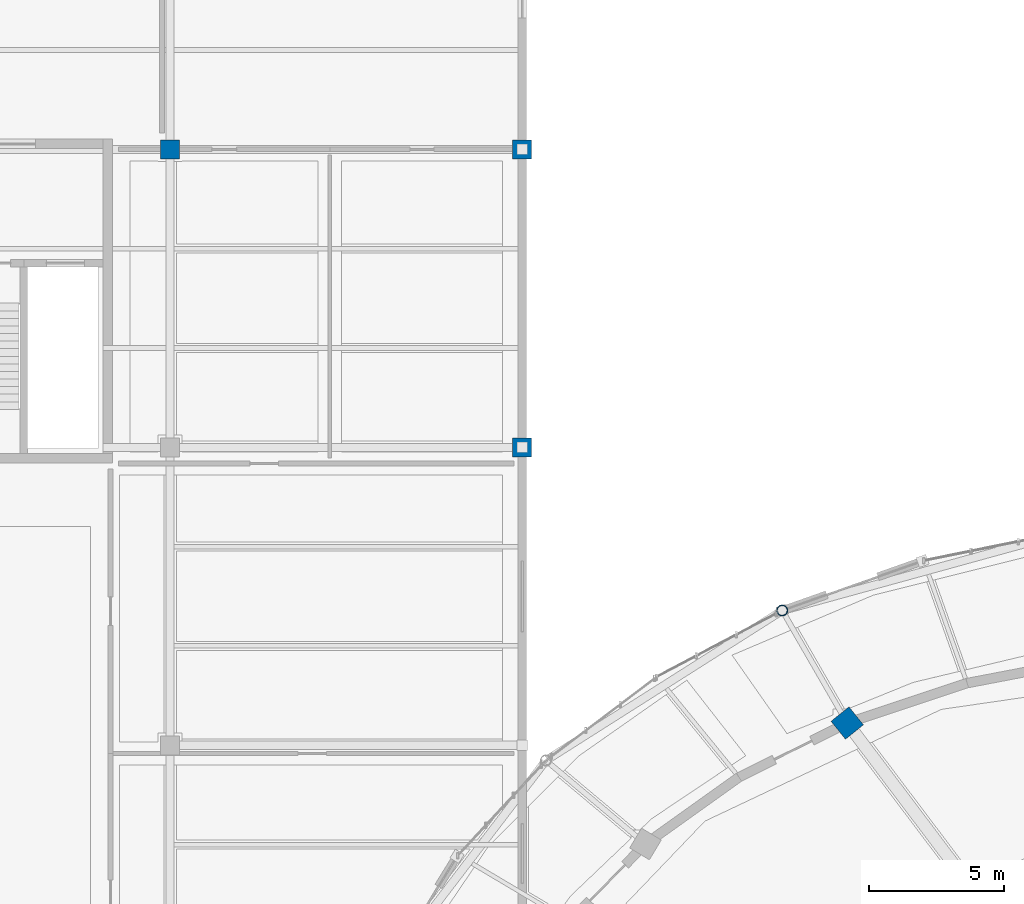
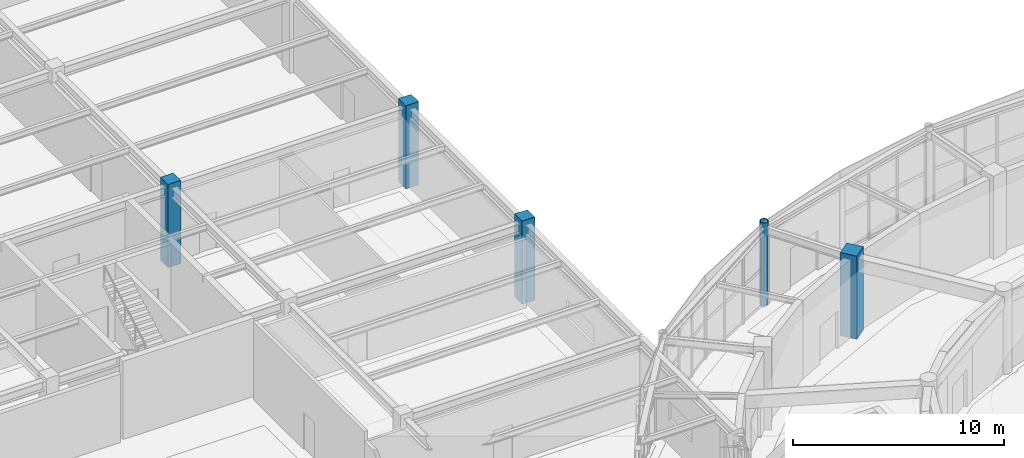
# One storey, part 12 of 108: 5 columns.
"""IFC4 building model written with IfcOpenShell, lengths in metres."""

import ifcopenshell
import ifcopenshell.guid

model = None  # the IFC model being written
_history = None  # IfcOwnerHistory: only IFC2X3 demands one
_inside = {}  # id of a spatial element -> (the spatial element, [elements in it])
_under = {}  # id of a project, library or spatial element -> (it, [spatial elements below it])
_declared = {}  # id of a project -> (the project, [libraries it declares])
_typed = {}  # id of a type object -> (the type object, [elements of that type])
_made_of = {}  # id of a material, layer set ... -> (it, [elements and type objects made of it])


def new_model(schema):
    """Start an empty IFC model of exactly this schema.

    Asked for "IFC4X3", IfcOpenShell would pick the latest addendum, in which some entities
    have other attributes; the version numbers below select the first issue.
    IFC2X3 requires an IfcOwnerHistory on every rooted entity: one is made here for all.
    """
    global model, _history
    if schema == "IFC4X3":
        model = ifcopenshell.file(schema_version=(4, 3, 0, 0))
    else:
        model = ifcopenshell.file(schema=schema)
    _inside.clear()
    _under.clear()
    _declared.clear()
    _typed.clear()
    _made_of.clear()
    _history = None
    if model.schema == "IFC2X3":
        org = make("IfcOrganization", Name="unknown")
        user = make(
            "IfcPersonAndOrganization",
            ThePerson=make("IfcPerson", FamilyName="unknown"),
            TheOrganization=org,
        )
        app = make(
            "IfcApplication",
            ApplicationDeveloper=org,
            Version="unknown",
            ApplicationFullName="unknown",
            ApplicationIdentifier="unknown",
        )
        _history = make(
            "IfcOwnerHistory",
            OwningUser=user,
            OwningApplication=app,
            ChangeAction="ADDED",
            CreationDate=0,
        )
    return model


def make(cls, **values):
    """One entity of the class cls with the attributes given. An attribute that is None is left unset."""
    return model.create_entity(
        cls, **{name: value for name, value in values.items() if value is not None}
    )


def rooted(cls, **values):
    """An entity with a GlobalId (a new one), such as an element, a storey or a relation."""
    return make(cls, GlobalId=ifcopenshell.guid.new(), OwnerHistory=_history, **values)


def si_unit(unit_type, name, prefix=None):
    """IfcSIUnit, for example si_unit("LENGTHUNIT", "METRE", prefix="MILLI")."""
    return make("IfcSIUnit", UnitType=unit_type, Prefix=prefix, Name=name)


def assignment(units):
    """IfcUnitAssignment: the units of a project."""
    return None if units is None else make("IfcUnitAssignment", Units=units)


def point(xyz):
    """IfcCartesianPoint."""
    return None if xyz is None else make("IfcCartesianPoint", Coordinates=xyz)


def direction(xyz):
    """IfcDirection."""
    return None if xyz is None else make("IfcDirection", DirectionRatios=xyz)


def frame(location, z_axis=None, x_axis=None):
    """IfcAxis2Placement3D, a coordinate frame: its origin and axes. An axis left out is left unset."""
    return make(
        "IfcAxis2Placement3D",
        Location=point(location),
        Axis=direction(z_axis),
        RefDirection=direction(x_axis),
    )


def frame_2d(location, x_axis=None):
    """IfcAxis2Placement2D, a coordinate frame in the plane: its origin and x axis."""
    return make(
        "IfcAxis2Placement2D", Location=point(location), RefDirection=direction(x_axis)
    )


def origin():
    """The frame at (0, 0, 0) with its axes left unset."""
    return frame((0.0, 0.0, 0.0))


def origin_2d():
    """The frame at (0, 0) in the plane with its x axis left unset."""
    return frame_2d((0.0, 0.0))


def place(relative_to, where):
    """IfcLocalPlacement: puts the frame where relative to a parent placement (None: the world)."""
    return make(
        "IfcLocalPlacement", PlacementRelTo=relative_to, RelativePlacement=where
    )


def context(
    kind, dimensions, precision=None, world=None, true_north=None, identifier=None
):
    """IfcGeometricRepresentationContext, for example the 3D "Model" context."""
    return make(
        "IfcGeometricRepresentationContext",
        ContextIdentifier=identifier,
        ContextType=kind,
        CoordinateSpaceDimension=dimensions,
        Precision=precision,
        WorldCoordinateSystem=world,
        TrueNorth=true_north,
    )


def subcontext(parent, identifier, kind, view, scale=None):
    """IfcGeometricRepresentationSubContext, for example "Body" below "Model"."""
    return make(
        "IfcGeometricRepresentationSubContext",
        ContextIdentifier=identifier,
        ContextType=kind,
        ParentContext=parent,
        TargetScale=scale,
        TargetView=view,
    )


def project(units=None, contexts=None):
    """IfcProject with its units and contexts."""
    return rooted(
        "IfcProject",
        Name="project",
        RepresentationContexts=contexts,
        UnitsInContext=assignment(units),
    )


def spatial(cls, under=None, at=None, **own):
    """A site, building, storey or space (cls), placed at a placement, below another one or the project."""
    s = rooted(cls, ObjectPlacement=at, **own)
    if under is not None:
        _under.setdefault(under.id(), (under, []))[1].append(s)
    return s


def profile(cls, at=None, kind="AREA", **sizes):
    """A parametric profile (cls). Its sizes go by their IFC names, for example OverallWidth=200.0."""
    return make(cls, ProfileType=kind, Position=at, **sizes)


def rectangle(**sizes):
    """IfcRectangleProfileDef."""
    return profile("IfcRectangleProfileDef", **sizes)


def hollow_circle(**sizes):
    """IfcCircleHollowProfileDef."""
    return profile("IfcCircleHollowProfileDef", **sizes)


def extrude(swept, where, along, depth):
    """IfcExtrudedAreaSolid: the profile swept, set in the frame where, extruded along a direction by depth."""
    return make(
        "IfcExtrudedAreaSolid",
        SweptArea=swept,
        Position=where,
        ExtrudedDirection=direction(along),
        Depth=depth,
    )


def shape(context_of_items, identifier, shape_type, items):
    """IfcShapeRepresentation: the items that make up one representation, for example the "Body"."""
    return make(
        "IfcShapeRepresentation",
        ContextOfItems=context_of_items,
        RepresentationIdentifier=identifier,
        RepresentationType=shape_type,
        Items=items,
    )


def material(Name=None, Category=None):
    """IfcMaterial."""
    return make("IfcMaterial", Name=Name, Category=Category)


def material_profile(
    of_material, cross_section, Name=None, Category=None, Priority=None
):
    """IfcMaterialProfile: a cross section and its material."""
    return make(
        "IfcMaterialProfile",
        Name=Name,
        Material=of_material,
        Profile=cross_section,
        Priority=Priority,
        Category=Category,
    )


def profile_set(profiles, Name=None, composite=None):
    """IfcMaterialProfileSet."""
    return make(
        "IfcMaterialProfileSet",
        Name=Name,
        MaterialProfiles=profiles,
        CompositeProfile=composite,
    )


def made_of(thing, what):
    """Note that an element or type object is made of a material, layer set ...; save() writes the relation."""
    if what is not None:
        _made_of.setdefault(what.id(), (what, []))[1].append(thing)
    return thing


def type_object(cls, material=None, **own):
    """A type object (cls), such as IfcWallType, which elements share."""
    return made_of(rooted(cls, **own), material)


def element(
    cls,
    number,
    at=None,
    inside=None,
    cuts=None,
    type_object=None,
    material=None,
    context=None,
    identifier="Body",
    shape_type=None,
    held_by="IfcProductDefinitionShape",
    body=None,
    shapes=None,
    **own,
):
    """One element of the class cls, such as IfcWall. Its Tag is "e" and its number.

    at: its placement. inside: the storey or other place that contains it. cuts: it is an
    opening in that element (IfcRelVoidsElement). A single representation is given by context,
    identifier, shape_type and body (its items); several are given by shapes. held_by: the class
    of the entity that holds the representations. save() writes the other relations.
    """
    e = rooted(cls, Tag="e%d" % number, ObjectPlacement=at, **own)
    if body is not None:
        shapes = [shape(context, identifier, shape_type, body)]
    if shapes is not None:
        e.Representation = make(held_by, Representations=shapes)
    if inside is not None:
        _inside.setdefault(inside.id(), (inside, []))[1].append(e)
    if cuts is not None:
        rooted(
            "IfcRelVoidsElement", RelatingBuildingElement=cuts, RelatedOpeningElement=e
        )
    if type_object is not None:
        _typed.setdefault(type_object.id(), (type_object, []))[1].append(e)
    return made_of(e, material)


def aggregate(whole, parts):
    """IfcRelAggregates: a whole, such as a stair, and the parts it consists of."""
    return rooted("IfcRelAggregates", RelatingObject=whole, RelatedObjects=parts)


def save(model, path):
    """Write the relations noted so far, then the file.

    IfcRelAggregates (storeys below a building ...), IfcRelContainedInSpatialStructure (elements
    in a storey), IfcRelDefinesByType, IfcRelAssociatesMaterial and IfcRelDeclares: one each for
    every whole, place, type object, material and project.
    """
    for whole, parts in _under.values():
        aggregate(whole, parts)
    for where, things in _inside.values():
        rooted(
            "IfcRelContainedInSpatialStructure",
            RelatedElements=things,
            RelatingStructure=where,
        )
    for kind, things in _typed.values():
        rooted("IfcRelDefinesByType", RelatedObjects=things, RelatingType=kind)
    for what, things in _made_of.values():
        rooted("IfcRelAssociatesMaterial", RelatedObjects=things, RelatingMaterial=what)
    for by, libraries in _declared.values():
        rooted("IfcRelDeclares", RelatingContext=by, RelatedDefinitions=libraries)
    model.write(path)


model = new_model("IFC4")

# Units and contexts
model_context = context("Model", 3, precision=1e-05, world=origin(), true_north=direction((0.0, 1.0)))
body_context = subcontext(model_context, "Body", "Model", "MODEL_VIEW")
ifc_project = project(units=[si_unit("LENGTHUNIT", "METRE"), si_unit("AREAUNIT", "SQUARE_METRE"), si_unit("VOLUMEUNIT", "CUBIC_METRE"), si_unit("PLANEANGLEUNIT", "RADIAN"), si_unit("MASSUNIT", "GRAM", prefix="KILO")], contexts=[model_context])

# Site, building, storey
site_placement = place(None, origin())
site = spatial("IfcSite", under=ifc_project, at=site_placement, CompositionType="ELEMENT")
building_placement = place(site_placement, origin())
building = spatial("IfcBuilding", under=site, at=building_placement, Name="Tarnveldt Headland Concert Hall", CompositionType="ELEMENT")
storey_placement = place(building_placement, origin())
storey = spatial("IfcBuildingStorey", under=building, at=storey_placement, Name="L00", CompositionType="ELEMENT", Elevation=0.0)

# Columns
ifc_material_1 = material(Name="Concrete C40/50", Category="concrete")
ifc_material_profile_1 = material_profile(ifc_material_1, rectangle(XDim=0.699951171875, YDim=0.699951171875, at=origin_2d()), Name="RC 700x700", Category="concrete")
ifc_profile_set_1 = profile_set([ifc_material_profile_1], Name="Concrete C40/50")
column_type_1 = type_object("IfcColumnType", Name="CC-700", PredefinedType="COLUMN", material=ifc_profile_set_1)
for number, where, z_axis, x_axis, name in (
    (1, (44.5, 93.0, 0.0), (0.0, 0.0, 1.0), (1.0, 0.0, 0.0), "Column V5C19 L00"),
    (2, (57.5, 82.0, 0.0), (0.0, 0.0, 1.0), (1.0, 0.0, 0.0), "Column V5C22 L00"),
    (3, (57.5, 93.0, 0.0), (0.0, 0.0, 1.0), (1.0, 0.0, 0.0), "Column V5C23 L00"),
):
    element("IfcColumn", number, at=place(storey_placement, frame(where, z_axis=z_axis, x_axis=x_axis)), inside=storey, type_object=column_type_1, Name=name, PredefinedType="COLUMN", context=body_context, shape_type="SweptSolid", body=[
        extrude(rectangle(XDim=0.699951171875, YDim=0.699951171875, at=origin_2d()), origin(), (0.0, 0.0, 1.0), 4.800048828125),
    ])
ifc_material_profile_2 = material_profile(ifc_material_1, rectangle(XDim=0.85009765625, YDim=0.85009765625, at=origin_2d()), Name="RC 850x850", Category="concrete")
ifc_profile_set_2 = profile_set([ifc_material_profile_2], Name="Concrete C40/50")
column_type_2 = type_object("IfcColumnType", Name="CC-850", PredefinedType="COLUMN", material=ifc_profile_set_2)
column_1_placement = place(storey_placement, frame((69.5, 71.820556640625, 0.0), z_axis=(0.0, 0.0, 1.0), x_axis=(-0.628641963719, 0.777694851116, 0.0)))
element("IfcColumn", 4, at=column_1_placement, inside=storey, type_object=column_type_2, Name="Column V2DC07 L00", PredefinedType="COLUMN", context=body_context, shape_type="SweptSolid", body=[
    extrude(rectangle(XDim=0.85009765625, YDim=0.85009765625, at=origin_2d()), origin(), (0.0, 0.0, 1.0), 4.800048828125),
])
ifc_material_2 = material(Name="Steel S355", Category="steel")
ifc_material_profile_3 = material_profile(ifc_material_2, hollow_circle(Radius=0.203125, WallThickness=0.02490234375, at=origin_2d()), Name="CHS 406.4x25", Category="steel")
ifc_profile_set_3 = profile_set([ifc_material_profile_3], Name="Steel S355")
column_type_3 = type_object("IfcColumnType", Name="SC-CHS406", PredefinedType="COLUMN", material=ifc_profile_set_3)
column_2_placement = place(storey_placement, frame((67.10009765625, 75.977294921875, 0.0), z_axis=(0.0, 0.0, 1.0), x_axis=(-0.606959801962, 0.79473253287, 0.0)))
element("IfcColumn", 5, at=column_2_placement, inside=storey, type_object=column_type_3, Name="Column V1C07 L00", PredefinedType="COLUMN", context=body_context, shape_type="SweptSolid", body=[
    extrude(hollow_circle(Radius=0.203125, WallThickness=0.02490234375, at=origin_2d()), origin(), (0.0, 0.0, 1.0), 4.800048828125),
])

save(model, "model.ifc")
